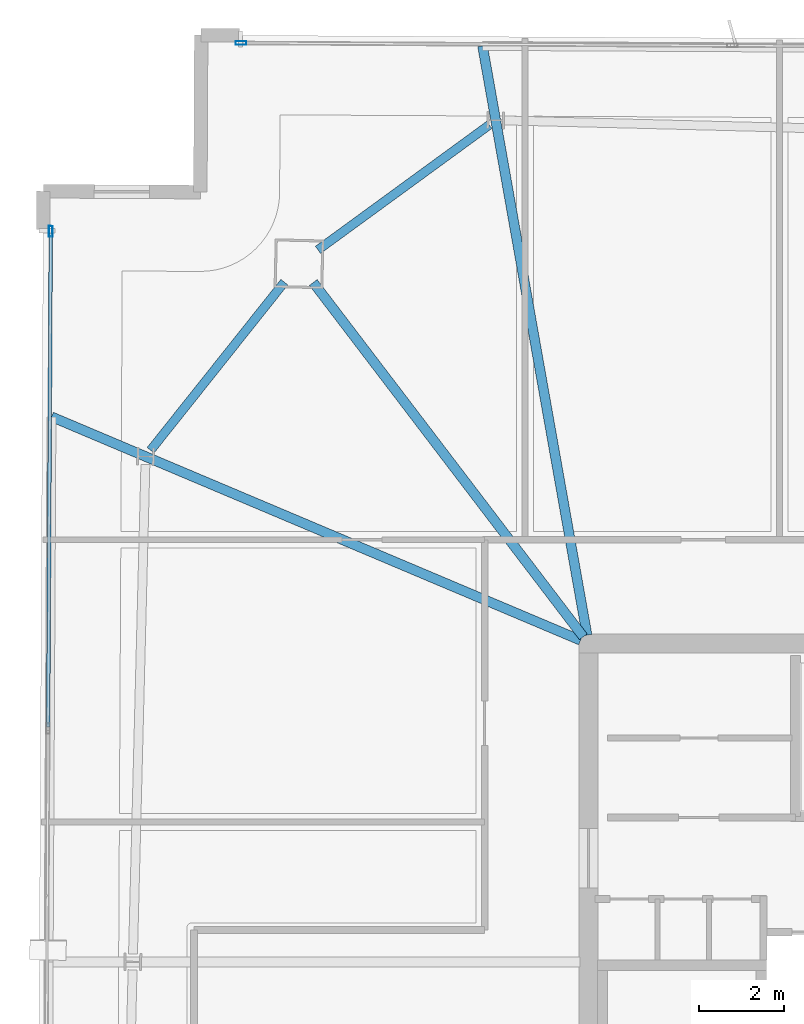
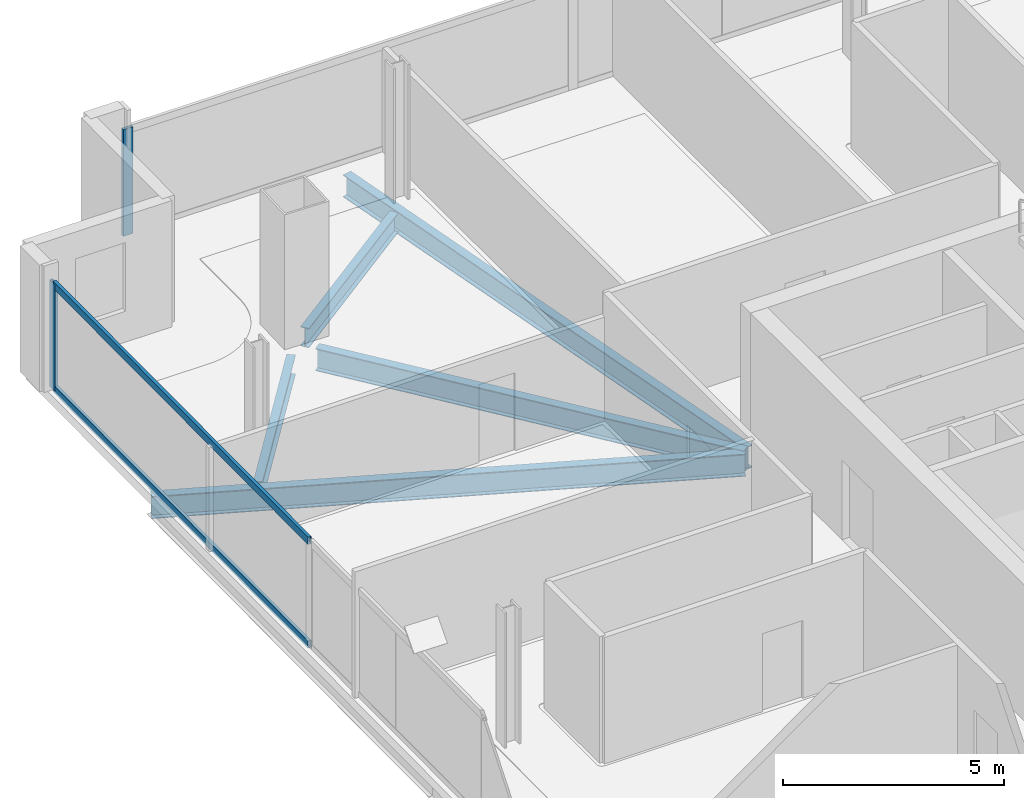
# One storey, part 13 of 24: 5 beams, 4 members, 2 elements without a shape of their own.
"""IFC4 building model written with IfcOpenShell, lengths in metres."""

from ifc_helpers import new_model, si_unit, direction, frame, origin, origin_2d, place, context, subcontext, project, spatial, hollow_rectangle, i_section, extrude, material, material_profile, profile_set, type_object, element, aggregate, save


model = new_model("IFC4")

# Units and contexts
model_context = context("Model", 3, precision=1e-05, world=origin(), true_north=direction((0.0, 1.0)))
body_context = subcontext(model_context, "Body", "Model", "MODEL_VIEW")
ifc_project = project(units=[si_unit("LENGTHUNIT", "METRE"), si_unit("AREAUNIT", "SQUARE_METRE"), si_unit("VOLUMEUNIT", "CUBIC_METRE"), si_unit("PLANEANGLEUNIT", "RADIAN"), si_unit("MASSUNIT", "GRAM", prefix="KILO")], contexts=[model_context])

# Site, building, storey
site_placement = place(None, origin())
site = spatial("IfcSite", under=ifc_project, at=site_placement, CompositionType="ELEMENT")
building_placement = place(site_placement, origin())
building = spatial("IfcBuilding", under=site, at=building_placement, Name="Haldenkirk Collegiate Tower", CompositionType="ELEMENT")
storey_placement = place(building_placement, frame((0.0, 0.0, 328.949951171875)))
storey = spatial("IfcBuildingStorey", under=building, at=storey_placement, Name="L83", CompositionType="ELEMENT", Elevation=328.949951171875)

# Beams
ifc_material_1 = material(Name="Steel ASTM A992 Grade 50", Category="steel")
ifc_material_profile_1 = material_profile(ifc_material_1, i_section(OverallWidth=0.22998046875, OverallDepth=0.616943359375, WebThickness=0.01318359375, FlangeThickness=0.022216796875, at=origin_2d()), Name="W24X94")
ifc_profile_set_1 = profile_set([ifc_material_profile_1], Name="Steel ASTM A992 Grade 50")
beam_type_1 = type_object("IfcBeamType", Name="BM-GIRDER-W24X94", PredefinedType="BEAM", material=ifc_profile_set_1)
beam_1_placement = place(storey_placement, frame((20.510498046875, 42.514404296875, -0.568359375), z_axis=(0.606183308444, -0.79532496287, 0.0), x_axis=(0.79532496287, 0.606183308444, 0.0)))
element("IfcBeam", 1, at=beam_1_placement, inside=storey, type_object=beam_type_1, Name="L83 primary floor girder 03", PredefinedType="BEAM", context=body_context, shape_type="SweptSolid", body=[
    extrude(i_section(OverallWidth=0.22998046875, OverallDepth=0.616943359375, WebThickness=0.01318359375, FlangeThickness=0.022216796875, at=origin_2d()), origin(), (0.0, 0.0, 1.0), 10.50048828125),
])
beam_2_placement = place(storey_placement, frame((24.50048828125, 48.090576171875, -0.568359375), z_axis=(0.1746571232, -0.98462931569, 0.0), x_axis=(0.98462931569, 0.1746571232, 0.0)))
element("IfcBeam", 2, at=beam_2_placement, inside=storey, type_object=beam_type_1, Name="L83 primary floor girder 10", PredefinedType="BEAM", context=body_context, shape_type="SweptSolid", body=[
    extrude(i_section(OverallWidth=0.22998046875, OverallDepth=0.616943359375, WebThickness=0.01318359375, FlangeThickness=0.022216796875, at=origin_2d()), origin(), (0.0, 0.0, 1.0), 14.10546875),
])
beam_3_placement = place(storey_placement, frame((14.339599609375, 39.34912109375, -0.568359375), z_axis=(0.92115778006, -0.389189342397, 0.0), x_axis=(0.389189342397, 0.92115778006, 0.0)))
element("IfcBeam", 3, at=beam_3_placement, inside=storey, type_object=beam_type_1, Name="L83 primary floor girder 11", PredefinedType="BEAM", context=body_context, shape_type="SweptSolid", body=[
    extrude(i_section(OverallWidth=0.22998046875, OverallDepth=0.616943359375, WebThickness=0.01318359375, FlangeThickness=0.022216796875, at=origin_2d()), origin(), (0.0, 0.0, 1.0), 13.5390625),
])
ifc_material_profile_2 = material_profile(ifc_material_1, i_section(OverallWidth=0.2099609375, OverallDepth=0.537109375, WebThickness=0.010986328125, FlangeThickness=0.017333984375, at=origin_2d()), Name="W21X68")
ifc_profile_set_2 = profile_set([ifc_material_profile_2], Name="Steel ASTM A992 Grade 50")
beam_type_2 = type_object("IfcBeamType", Name="BM-SPANDREL-W21X68", PredefinedType="SPANDREL", material=ifc_profile_set_2)
beam_4_placement = place(storey_placement, frame((24.6591796875, 46.228759765625, -0.528564453125), z_axis=(-0.807792834001, -0.589466485338, 0.0), x_axis=(0.589466485338, -0.807792834001, 0.0)))
element("IfcBeam", 4, at=beam_4_placement, inside=storey, type_object=beam_type_2, Name="L83 perimeter spandrel beam 08", PredefinedType="SPANDREL", context=body_context, shape_type="SweptSolid", body=[
    extrude(i_section(OverallWidth=0.2099609375, OverallDepth=0.537109375, WebThickness=0.010986328125, FlangeThickness=0.017333984375, at=origin_2d()), origin(), (0.0, 0.0, 1.0), 4.997314453125),
])
beam_5_placement = place(storey_placement, frame((19.828369140625, 42.521484375, -0.528564453125), z_axis=(-0.622694005585, -0.782465446783, 0.0), x_axis=(0.782465446783, -0.622694005585, 0.0)))
element("IfcBeam", 5, at=beam_5_placement, inside=storey, type_object=beam_type_2, Name="L83 perimeter spandrel beam 09", PredefinedType="SPANDREL", context=body_context, shape_type="SweptSolid", body=[
    extrude(i_section(OverallWidth=0.2099609375, OverallDepth=0.537109375, WebThickness=0.010986328125, FlangeThickness=0.017333984375, at=origin_2d()), origin(), (0.0, 0.0, 1.0), 5.06396484375),
])

# Curtain wall, member
ifc_material_2 = material(Name="Anodised architectural bronze aluminium", Category="aluminium")
curtain_wall_type = type_object("IfcCurtainWallType", Name="CW-SYS1B-CONVEX-HI", PredefinedType="USERDEFINED", material=ifc_material_2)
curtain_wall_1_placement = place(storey_placement, origin())
curtain_wall_1 = element("IfcCurtainWall", 6, at=curtain_wall_1_placement, inside=storey, type_object=curtain_wall_type, Name="L83 Upper tower high-wind convex bronze unitised curtain wall", ObjectType="UNITISED CURTAIN WALL", PredefinedType="USERDEFINED")
ifc_material_profile_3 = material_profile(ifc_material_2, hollow_rectangle(XDim=0.0849609375, YDim=0.25, WallThickness=0.0048828125, at=origin_2d()), Name="CW-MUL-1B")
ifc_profile_set_3 = profile_set([ifc_material_profile_3], Name="Anodised architectural bronze aluminium")
member_type_1 = type_object("IfcMemberType", Name="CW-MUL-1B", PredefinedType="MULLION", material=ifc_profile_set_3)
member_1_placement = place(storey_placement, frame((18.808349609375, 48.160400390625, 0.0), z_axis=(0.0, 0.0, 1.0), x_axis=(0.005238727924, 0.999986277771, 0.0)))
member_1 = element("IfcMember", 7, at=member_1_placement, type_object=member_type_1, Name="CW-1B mullion 1", PredefinedType="MULLION", context=body_context, shape_type="SweptSolid", body=[
    extrude(hollow_rectangle(XDim=0.0849609375, YDim=0.25, WallThickness=0.0048828125, at=origin_2d()), origin(), (0.0, 0.0, 1.0), 2.947998046875),
])
aggregate(curtain_wall_1, [member_1])

# Curtain wall, members
curtain_wall_2_placement = place(storey_placement, origin())
curtain_wall_2 = element("IfcCurtainWall", 8, at=curtain_wall_2_placement, inside=storey, type_object=curtain_wall_type, Name="L83 Upper tower high-wind convex bronze unitised curtain wall", ObjectType="UNITISED CURTAIN WALL", PredefinedType="USERDEFINED")
member_2_placement = place(storey_placement, frame((14.322509765625, 43.72119140625, 0.0), z_axis=(0.0, 0.0, 1.0), x_axis=(-0.999986296614, 0.00523512989, 0.0)))
member_2 = element("IfcMember", 9, at=member_2_placement, type_object=member_type_1, Name="CW-1B mullion 4", PredefinedType="MULLION", context=body_context, shape_type="SweptSolid", body=[
    extrude(hollow_rectangle(XDim=0.0849609375, YDim=0.25, WallThickness=0.0048828125, at=origin_2d()), origin(), (0.0, 0.0, 1.0), 2.947998046875),
])
ifc_material_profile_4 = material_profile(ifc_material_2, hollow_rectangle(XDim=0.0849609375, YDim=0.199951171875, WallThickness=0.0048828125, at=origin_2d()), Name="CW-TRN-1B")
ifc_profile_set_4 = profile_set([ifc_material_profile_4], Name="Anodised architectural bronze aluminium")
member_type_2 = type_object("IfcMemberType", Name="CW-TRN-1B", PredefinedType="USERDEFINED", material=ifc_profile_set_4)
member_3_placement = place(storey_placement, frame((14.26123046875, 32.039794921875, 0.04248046875), z_axis=(0.005243986377, 0.999986250209, 0.0), x_axis=(-0.999986250209, 0.005243986377, 0.0)))
member_3 = element("IfcMember", 10, at=member_3_placement, type_object=member_type_2, Name="CW-1B transom 3.1", ObjectType="TRANSOM", PredefinedType="USERDEFINED", context=body_context, shape_type="SweptSolid", body=[
    extrude(hollow_rectangle(XDim=0.0849609375, YDim=0.199951171875, WallThickness=0.0048828125, at=origin_2d()), origin(), (0.0, 0.0, 1.0), 11.63916015625),
])
member_4_placement = place(storey_placement, frame((14.26123046875, 32.039794921875, 2.905517578125), z_axis=(0.005243986377, 0.999986250209, 0.0), x_axis=(-0.999986250209, 0.005243986377, 0.0)))
member_4 = element("IfcMember", 11, at=member_4_placement, type_object=member_type_2, Name="CW-1B transom 3.2", ObjectType="TRANSOM", PredefinedType="USERDEFINED", context=body_context, shape_type="SweptSolid", body=[
    extrude(hollow_rectangle(XDim=0.0849609375, YDim=0.199951171875, WallThickness=0.0048828125, at=origin_2d()), origin(), (0.0, 0.0, 1.0), 11.63916015625),
])
aggregate(curtain_wall_2, [member_2, member_3, member_4])

save(model, "model.ifc")
